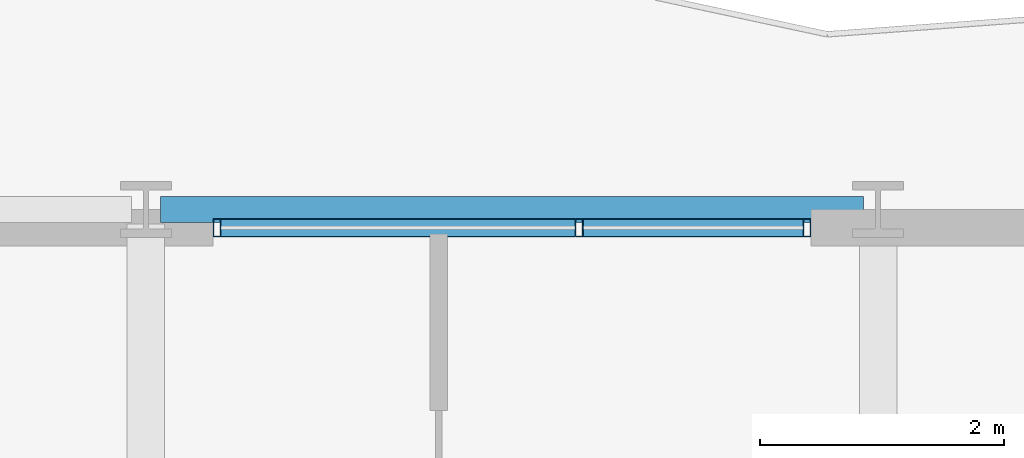
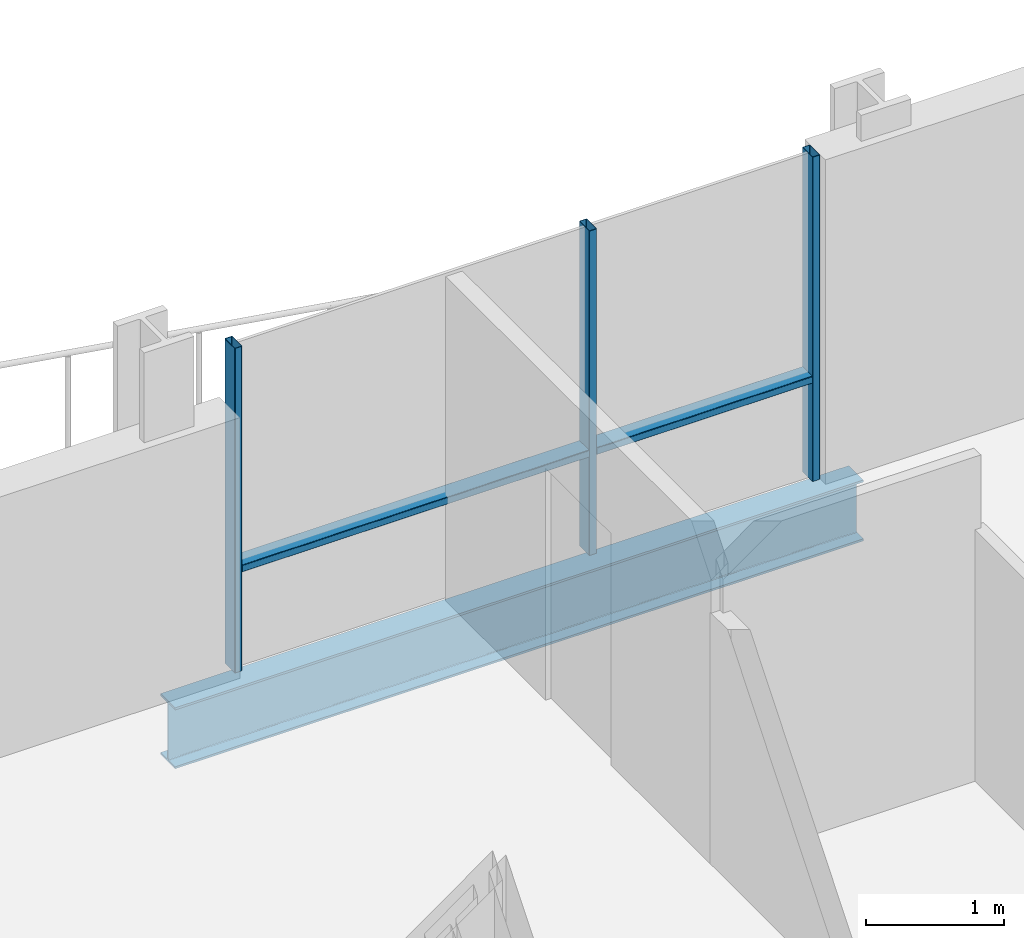
# One storey, part 24 of 40: 5 members, 1 beam, 1 element without a shape of its own.
"""IFC4 building model written with IfcOpenShell, lengths in metres."""

import ifcopenshell
import ifcopenshell.guid

model = None  # the IFC model being written
_history = None  # IfcOwnerHistory: only IFC2X3 demands one
_inside = {}  # id of a spatial element -> (the spatial element, [elements in it])
_under = {}  # id of a project, library or spatial element -> (it, [spatial elements below it])
_declared = {}  # id of a project -> (the project, [libraries it declares])
_typed = {}  # id of a type object -> (the type object, [elements of that type])
_made_of = {}  # id of a material, layer set ... -> (it, [elements and type objects made of it])


def new_model(schema):
    """Start an empty IFC model of exactly this schema.

    Asked for "IFC4X3", IfcOpenShell would pick the latest addendum, in which some entities
    have other attributes; the version numbers below select the first issue.
    IFC2X3 requires an IfcOwnerHistory on every rooted entity: one is made here for all.
    """
    global model, _history
    if schema == "IFC4X3":
        model = ifcopenshell.file(schema_version=(4, 3, 0, 0))
    else:
        model = ifcopenshell.file(schema=schema)
    _inside.clear()
    _under.clear()
    _declared.clear()
    _typed.clear()
    _made_of.clear()
    _history = None
    if model.schema == "IFC2X3":
        org = make("IfcOrganization", Name="unknown")
        user = make(
            "IfcPersonAndOrganization",
            ThePerson=make("IfcPerson", FamilyName="unknown"),
            TheOrganization=org,
        )
        app = make(
            "IfcApplication",
            ApplicationDeveloper=org,
            Version="unknown",
            ApplicationFullName="unknown",
            ApplicationIdentifier="unknown",
        )
        _history = make(
            "IfcOwnerHistory",
            OwningUser=user,
            OwningApplication=app,
            ChangeAction="ADDED",
            CreationDate=0,
        )
    return model


def make(cls, **values):
    """One entity of the class cls with the attributes given. An attribute that is None is left unset."""
    return model.create_entity(
        cls, **{name: value for name, value in values.items() if value is not None}
    )


def rooted(cls, **values):
    """An entity with a GlobalId (a new one), such as an element, a storey or a relation."""
    return make(cls, GlobalId=ifcopenshell.guid.new(), OwnerHistory=_history, **values)


def si_unit(unit_type, name, prefix=None):
    """IfcSIUnit, for example si_unit("LENGTHUNIT", "METRE", prefix="MILLI")."""
    return make("IfcSIUnit", UnitType=unit_type, Prefix=prefix, Name=name)


def assignment(units):
    """IfcUnitAssignment: the units of a project."""
    return None if units is None else make("IfcUnitAssignment", Units=units)


def point(xyz):
    """IfcCartesianPoint."""
    return None if xyz is None else make("IfcCartesianPoint", Coordinates=xyz)


def direction(xyz):
    """IfcDirection."""
    return None if xyz is None else make("IfcDirection", DirectionRatios=xyz)


def frame(location, z_axis=None, x_axis=None):
    """IfcAxis2Placement3D, a coordinate frame: its origin and axes. An axis left out is left unset."""
    return make(
        "IfcAxis2Placement3D",
        Location=point(location),
        Axis=direction(z_axis),
        RefDirection=direction(x_axis),
    )


def frame_2d(location, x_axis=None):
    """IfcAxis2Placement2D, a coordinate frame in the plane: its origin and x axis."""
    return make(
        "IfcAxis2Placement2D", Location=point(location), RefDirection=direction(x_axis)
    )


def origin():
    """The frame at (0, 0, 0) with its axes left unset."""
    return frame((0.0, 0.0, 0.0))


def origin_2d():
    """The frame at (0, 0) in the plane with its x axis left unset."""
    return frame_2d((0.0, 0.0))


def place(relative_to, where):
    """IfcLocalPlacement: puts the frame where relative to a parent placement (None: the world)."""
    return make(
        "IfcLocalPlacement", PlacementRelTo=relative_to, RelativePlacement=where
    )


def context(
    kind, dimensions, precision=None, world=None, true_north=None, identifier=None
):
    """IfcGeometricRepresentationContext, for example the 3D "Model" context."""
    return make(
        "IfcGeometricRepresentationContext",
        ContextIdentifier=identifier,
        ContextType=kind,
        CoordinateSpaceDimension=dimensions,
        Precision=precision,
        WorldCoordinateSystem=world,
        TrueNorth=true_north,
    )


def subcontext(parent, identifier, kind, view, scale=None):
    """IfcGeometricRepresentationSubContext, for example "Body" below "Model"."""
    return make(
        "IfcGeometricRepresentationSubContext",
        ContextIdentifier=identifier,
        ContextType=kind,
        ParentContext=parent,
        TargetScale=scale,
        TargetView=view,
    )


def project(units=None, contexts=None):
    """IfcProject with its units and contexts."""
    return rooted(
        "IfcProject",
        Name="project",
        RepresentationContexts=contexts,
        UnitsInContext=assignment(units),
    )


def spatial(cls, under=None, at=None, **own):
    """A site, building, storey or space (cls), placed at a placement, below another one or the project."""
    s = rooted(cls, ObjectPlacement=at, **own)
    if under is not None:
        _under.setdefault(under.id(), (under, []))[1].append(s)
    return s


def profile(cls, at=None, kind="AREA", **sizes):
    """A parametric profile (cls). Its sizes go by their IFC names, for example OverallWidth=200.0."""
    return make(cls, ProfileType=kind, Position=at, **sizes)


def hollow_rectangle(**sizes):
    """IfcRectangleHollowProfileDef."""
    return profile("IfcRectangleHollowProfileDef", **sizes)


def i_section(**sizes):
    """IfcIShapeProfileDef."""
    return profile("IfcIShapeProfileDef", **sizes)


def extrude(swept, where, along, depth):
    """IfcExtrudedAreaSolid: the profile swept, set in the frame where, extruded along a direction by depth."""
    return make(
        "IfcExtrudedAreaSolid",
        SweptArea=swept,
        Position=where,
        ExtrudedDirection=direction(along),
        Depth=depth,
    )


def shape(context_of_items, identifier, shape_type, items):
    """IfcShapeRepresentation: the items that make up one representation, for example the "Body"."""
    return make(
        "IfcShapeRepresentation",
        ContextOfItems=context_of_items,
        RepresentationIdentifier=identifier,
        RepresentationType=shape_type,
        Items=items,
    )


def material(Name=None, Category=None):
    """IfcMaterial."""
    return make("IfcMaterial", Name=Name, Category=Category)


def layer(
    of_material, thickness, ventilated=None, Name=None, Category=None, Priority=None
):
    """IfcMaterialLayer: one layer of a wall or slab, of a material (None: an air gap)."""
    return make(
        "IfcMaterialLayer",
        Material=of_material,
        LayerThickness=thickness,
        IsVentilated=ventilated,
        Name=Name,
        Category=Category,
        Priority=Priority,
    )


def layer_set(layers, Name=None):
    """IfcMaterialLayerSet."""
    return make("IfcMaterialLayerSet", MaterialLayers=layers, LayerSetName=Name)


def material_profile(
    of_material, cross_section, Name=None, Category=None, Priority=None
):
    """IfcMaterialProfile: a cross section and its material."""
    return make(
        "IfcMaterialProfile",
        Name=Name,
        Material=of_material,
        Profile=cross_section,
        Priority=Priority,
        Category=Category,
    )


def profile_set(profiles, Name=None, composite=None):
    """IfcMaterialProfileSet."""
    return make(
        "IfcMaterialProfileSet",
        Name=Name,
        MaterialProfiles=profiles,
        CompositeProfile=composite,
    )


def made_of(thing, what):
    """Note that an element or type object is made of a material, layer set ...; save() writes the relation."""
    if what is not None:
        _made_of.setdefault(what.id(), (what, []))[1].append(thing)
    return thing


def type_object(cls, material=None, **own):
    """A type object (cls), such as IfcWallType, which elements share."""
    return made_of(rooted(cls, **own), material)


def element(
    cls,
    number,
    at=None,
    inside=None,
    cuts=None,
    type_object=None,
    material=None,
    context=None,
    identifier="Body",
    shape_type=None,
    held_by="IfcProductDefinitionShape",
    body=None,
    shapes=None,
    **own,
):
    """One element of the class cls, such as IfcWall. Its Tag is "e" and its number.

    at: its placement. inside: the storey or other place that contains it. cuts: it is an
    opening in that element (IfcRelVoidsElement). A single representation is given by context,
    identifier, shape_type and body (its items); several are given by shapes. held_by: the class
    of the entity that holds the representations. save() writes the other relations.
    """
    e = rooted(cls, Tag="e%d" % number, ObjectPlacement=at, **own)
    if body is not None:
        shapes = [shape(context, identifier, shape_type, body)]
    if shapes is not None:
        e.Representation = make(held_by, Representations=shapes)
    if inside is not None:
        _inside.setdefault(inside.id(), (inside, []))[1].append(e)
    if cuts is not None:
        rooted(
            "IfcRelVoidsElement", RelatingBuildingElement=cuts, RelatedOpeningElement=e
        )
    if type_object is not None:
        _typed.setdefault(type_object.id(), (type_object, []))[1].append(e)
    return made_of(e, material)


def aggregate(whole, parts):
    """IfcRelAggregates: a whole, such as a stair, and the parts it consists of."""
    return rooted("IfcRelAggregates", RelatingObject=whole, RelatedObjects=parts)


def save(model, path):
    """Write the relations noted so far, then the file.

    IfcRelAggregates (storeys below a building ...), IfcRelContainedInSpatialStructure (elements
    in a storey), IfcRelDefinesByType, IfcRelAssociatesMaterial and IfcRelDeclares: one each for
    every whole, place, type object, material and project.
    """
    for whole, parts in _under.values():
        aggregate(whole, parts)
    for where, things in _inside.values():
        rooted(
            "IfcRelContainedInSpatialStructure",
            RelatedElements=things,
            RelatingStructure=where,
        )
    for kind, things in _typed.values():
        rooted("IfcRelDefinesByType", RelatedObjects=things, RelatingType=kind)
    for what, things in _made_of.values():
        rooted("IfcRelAssociatesMaterial", RelatedObjects=things, RelatingMaterial=what)
    for by, libraries in _declared.values():
        rooted("IfcRelDeclares", RelatingContext=by, RelatedDefinitions=libraries)
    model.write(path)


model = new_model("IFC4")

# Units and contexts
model_context = context("Model", 3, precision=1e-05, world=origin(), true_north=direction((0.0, 1.0)))
body_context = subcontext(model_context, "Body", "Model", "MODEL_VIEW")
ifc_project = project(units=[si_unit("LENGTHUNIT", "METRE"), si_unit("AREAUNIT", "SQUARE_METRE"), si_unit("VOLUMEUNIT", "CUBIC_METRE"), si_unit("PLANEANGLEUNIT", "RADIAN"), si_unit("MASSUNIT", "GRAM", prefix="KILO")], contexts=[model_context])

# Site, building, storey
site_placement = place(None, origin())
site = spatial("IfcSite", under=ifc_project, at=site_placement, CompositionType="ELEMENT")
building_placement = place(site_placement, origin())
building = spatial("IfcBuilding", under=site, at=building_placement, Name="Brevholm Reach", CompositionType="ELEMENT")
storey_placement = place(building_placement, frame((0.0, 0.0, 62.10009765625)))
storey = spatial("IfcBuildingStorey", under=building, at=storey_placement, Name="L17", CompositionType="ELEMENT", Elevation=62.10009765625)

# Beam
ifc_material_1 = material(Name="Structural Steel S355J2", Category="steel")
ifc_material_profile_1 = material_profile(ifc_material_1, i_section(OverallWidth=0.210693359375, OverallDepth=0.53955078125, WebThickness=0.01171875, FlangeThickness=0.018798828125, FilletRadius=0.0126953125, at=origin_2d()), Name="UKB 533x210x109")
ifc_profile_set_1 = profile_set([ifc_material_profile_1], Name="Structural Steel S355J2")
beam_type = type_object("IfcBeamType", Name="BM-SP539", PredefinedType="SPANDREL", material=ifc_profile_set_1)
beam_placement = place(storey_placement, frame((48.1201171875, 31.0, -0.499755859375), z_axis=(1.0, 0.0, 0.0), x_axis=(0.0, 1.0, 0.0)))
element("IfcBeam", 1, at=beam_placement, inside=storey, type_object=beam_type, Name="L17 SP-01B Framing Beam", PredefinedType="SPANDREL", context=body_context, shape_type="SweptSolid", body=[
    extrude(i_section(OverallWidth=0.210693359375, OverallDepth=0.53955078125, WebThickness=0.01171875, FlangeThickness=0.018798828125, FilletRadius=0.0126953125, at=origin_2d()), origin(), (0.0, 0.0, 1.0), 5.759765625),
])

# Curtain wall, members
ifc_material_2 = material(Name="Dark Anodised Aluminium 6063-T6 and Solar-Control Glass", Category="aluminium")
ifc_layer = layer(ifc_material_2, 0.14990234375)
ifc_layer_set = layer_set([ifc_layer], Name="Dark Anodised Aluminium 6063-T6 and Solar-Control Glass")
curtain_wall_type = type_object("IfcCurtainWallType", Name="CW-01", PredefinedType="NOTDEFINED", material=ifc_layer_set)
curtain_wall_placement = place(storey_placement, origin())
curtain_wall = element("IfcCurtainWall", 2, at=curtain_wall_placement, inside=storey, type_object=curtain_wall_type, Name="L17 Curtain Wall CW-01", PredefinedType="NOTDEFINED")
ifc_material_3 = material(Name="Dark Anodised Aluminium 6063-T6", Category="aluminium")
ifc_material_profile_2 = material_profile(ifc_material_3, hollow_rectangle(XDim=0.06494140625, YDim=0.14990234375, WallThickness=0.0048828125, InnerFilletRadius=0.0048828125, OuterFilletRadius=0.010009765625, at=origin_2d()), Name="RHS 150x65x5")
ifc_profile_set_2 = profile_set([ifc_material_profile_2], Name="Dark Anodised Aluminium 6063-T6")
member_type_1 = type_object("IfcMemberType", Name="CWM-150", PredefinedType="MULLION", material=ifc_profile_set_2)
member_1_placement = place(storey_placement, frame((48.58251953125, 30.85009765625, 0.0), z_axis=(0.0, 0.0, 1.0), x_axis=(1.0, 0.0, 0.0)))
member_1 = element("IfcMember", 3, at=member_1_placement, type_object=member_type_1, Name="CM-150 Mullion 1", PredefinedType="MULLION", context=body_context, shape_type="SweptSolid", body=[
    extrude(hollow_rectangle(XDim=0.06494140625, YDim=0.14990234375, WallThickness=0.0048828125, InnerFilletRadius=0.0048828125, OuterFilletRadius=0.010009765625, at=origin_2d()), origin(), (0.0, 0.0, 1.0), 2.869873046875),
])
member_2_placement = place(storey_placement, frame((51.550048828125, 30.85009765625, 0.0), z_axis=(0.0, 0.0, 1.0), x_axis=(1.0, 0.0, 0.0)))
member_2 = element("IfcMember", 4, at=member_2_placement, type_object=member_type_1, Name="CM-150 Mullion 2", PredefinedType="MULLION", context=body_context, shape_type="SweptSolid", body=[
    extrude(hollow_rectangle(XDim=0.06494140625, YDim=0.14990234375, WallThickness=0.0048828125, InnerFilletRadius=0.0048828125, OuterFilletRadius=0.010009765625, at=origin_2d()), origin(), (0.0, 0.0, 1.0), 2.869873046875),
])
member_3_placement = place(storey_placement, frame((53.41748046875, 30.85009765625, 0.0), z_axis=(0.0, 0.0, 1.0), x_axis=(1.0, 0.0, 0.0)))
member_3 = element("IfcMember", 5, at=member_3_placement, type_object=member_type_1, Name="CM-150 Mullion 3", PredefinedType="MULLION", context=body_context, shape_type="SweptSolid", body=[
    extrude(hollow_rectangle(XDim=0.06494140625, YDim=0.14990234375, WallThickness=0.0048828125, InnerFilletRadius=0.0048828125, OuterFilletRadius=0.010009765625, at=origin_2d()), origin(), (0.0, 0.0, 1.0), 2.869873046875),
])
ifc_material_4 = material(Name="Dark Anodised Aluminium 6063-T6", Category="aluminium")
ifc_material_profile_3 = material_profile(ifc_material_4, hollow_rectangle(XDim=0.06494140625, YDim=0.14990234375, WallThickness=0.0048828125, InnerFilletRadius=0.0048828125, OuterFilletRadius=0.010009765625, at=origin_2d()), Name="RHS 150x65x5")
ifc_profile_set_3 = profile_set([ifc_material_profile_3], Name="Dark Anodised Aluminium 6063-T6")
member_type_2 = type_object("IfcMemberType", Name="CWT-150", PredefinedType="NOTDEFINED", material=ifc_profile_set_3)
member_4_placement = place(storey_placement, frame((48.614990234375, 30.85009765625, 0.89990234375), z_axis=(1.0, 0.0, 0.0), x_axis=(0.0, 0.0, 1.0)))
member_4 = element("IfcMember", 6, at=member_4_placement, type_object=member_type_2, Name="CT-150 Transom 1.1", ObjectType="TRANSOM", PredefinedType="USERDEFINED", context=body_context, shape_type="SweptSolid", body=[
    extrude(hollow_rectangle(XDim=0.06494140625, YDim=0.14990234375, WallThickness=0.0048828125, InnerFilletRadius=0.0048828125, OuterFilletRadius=0.010009765625, at=origin_2d()), origin(), (0.0, 0.0, 1.0), 2.902587890625),
])
member_5_placement = place(storey_placement, frame((51.58251953125, 30.85009765625, 0.89990234375), z_axis=(1.0, 0.0, 0.0), x_axis=(0.0, 0.0, 1.0)))
member_5 = element("IfcMember", 7, at=member_5_placement, type_object=member_type_2, Name="CT-150 Transom 2.1", ObjectType="TRANSOM", PredefinedType="USERDEFINED", context=body_context, shape_type="SweptSolid", body=[
    extrude(hollow_rectangle(XDim=0.06494140625, YDim=0.14990234375, WallThickness=0.0048828125, InnerFilletRadius=0.0048828125, OuterFilletRadius=0.010009765625, at=origin_2d()), origin(), (0.0, 0.0, 1.0), 1.802490234375),
])
aggregate(curtain_wall, [member_1, member_2, member_3, member_4, member_5])

save(model, "model.ifc")
